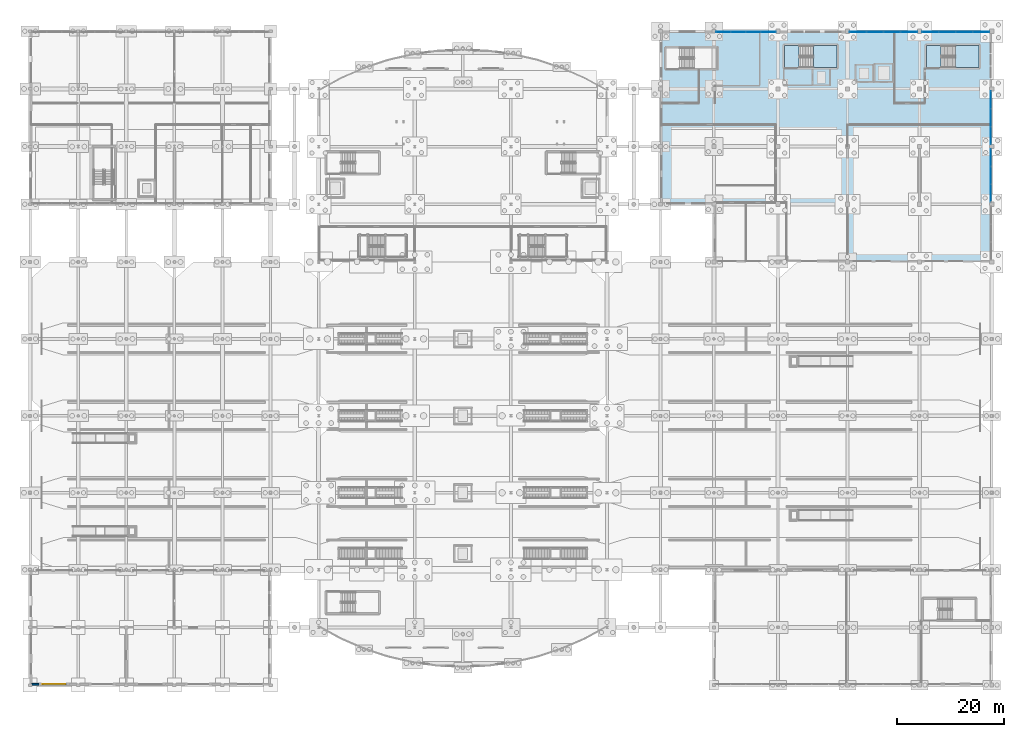
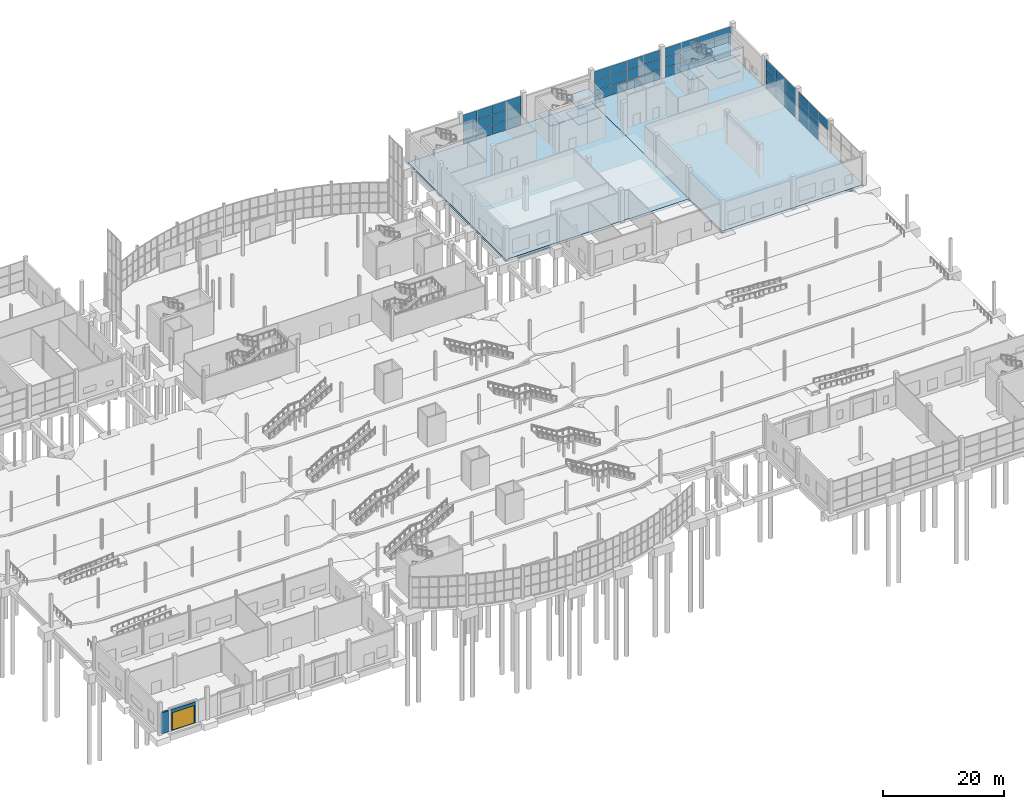
# One storey, part 84 of 115: 52 plates, 8 slabs, 2 walls, 1 door, 1 opening, 7 elements without a shape of their own.
"""IFC4 building model written with IfcOpenShell, lengths in metres."""

from ifc_helpers import new_model, si_unit, direction, frame, frame_2d, origin, origin_2d, place, context, subcontext, project, spatial, polyline, rectangle, outline, extrude, material, layer, layer_set, type_object, element, fill, aggregate, save


model = new_model("IFC4")

# Units and contexts
model_context = context("Model", 3, precision=1e-05, world=origin(), true_north=direction((0.0, 1.0)))
body_context = subcontext(model_context, "Body", "Model", "MODEL_VIEW")
ifc_project = project(units=[si_unit("LENGTHUNIT", "METRE"), si_unit("AREAUNIT", "SQUARE_METRE"), si_unit("VOLUMEUNIT", "CUBIC_METRE"), si_unit("PLANEANGLEUNIT", "RADIAN"), si_unit("MASSUNIT", "GRAM", prefix="KILO")], contexts=[model_context])

# Site, building, storey
site_placement = place(None, origin())
site = spatial("IfcSite", under=ifc_project, at=site_placement, CompositionType="ELEMENT")
building_placement = place(site_placement, origin())
building = spatial("IfcBuilding", under=site, at=building_placement, Name="Tamarisk Ironworks Central Station", CompositionType="ELEMENT")
storey_placement = place(building_placement, origin())
storey = spatial("IfcBuildingStorey", under=building, at=storey_placement, Name="L00", CompositionType="ELEMENT", Elevation=0.0)

# Curtain wall, plates
ifc_material_1 = material(Name="Anodized aluminium alloy 6063-T6", Category="aluminium")
ifc_layer_1 = layer(ifc_material_1, 0.179931640625)
ifc_layer_set_1 = layer_set([ifc_layer_1], Name="Anodized aluminium alloy 6063-T6")
curtain_wall_type = type_object("IfcCurtainWallType", Name="CW-15", PredefinedType="USERDEFINED", material=ifc_layer_set_1)
curtain_wall_1_placement = place(storey_placement, origin())
curtain_wall_1 = element("IfcCurtainWall", 1, at=curtain_wall_1_placement, inside=storey, type_object=curtain_wall_type, Name="Operations L00 north facade curtain wall 128", ObjectType="GLAZED CURTAIN WALL", PredefinedType="USERDEFINED")
ifc_material_2 = material(Name="Laminated solar-control low-E glass", Category="glass")
ifc_layer_2 = layer(ifc_material_2, 0.028076171875)
ifc_layer_set_2 = layer_set([ifc_layer_2], Name="Laminated solar-control low-E glass")
plate_type = type_object("IfcPlateType", Name="PL-CWP28", PredefinedType="CURTAIN_PANEL", material=ifc_layer_set_2)
plate_1_placement = place(storey_placement, frame((129.7734375, 122.25, 0.069091796875), z_axis=(0.0, 0.0, 1.0), x_axis=(1.0, 0.0, 0.0)))
plate_1 = element("IfcPlate", 2, at=plate_1_placement, type_object=plate_type, Name="CW15 panel 1.1", PredefinedType="CURTAIN_PANEL", context=body_context, shape_type="SweptSolid", body=[
    extrude(rectangle(XDim=2.712890625, YDim=0.028076171875, at=origin_2d()), origin(), (0.0, 0.0, 1.0), 1.90625),
])
plate_2_placement = place(storey_placement, frame((129.7734375, 122.25, 2.0380859375), z_axis=(0.0, 0.0, 1.0), x_axis=(1.0, 0.0, 0.0)))
plate_2 = element("IfcPlate", 3, at=plate_2_placement, type_object=plate_type, Name="CW15 panel 1.2", PredefinedType="CURTAIN_PANEL", context=body_context, shape_type="SweptSolid", body=[
    extrude(rectangle(XDim=2.712890625, YDim=0.028076171875, at=origin_2d()), origin(), (0.0, 0.0, 1.0), 1.943603515625),
])
plate_3_placement = place(storey_placement, frame((129.7734375, 122.25, 4.044677734375), z_axis=(0.0, 0.0, 1.0), x_axis=(1.0, 0.0, 0.0)))
plate_3 = element("IfcPlate", 4, at=plate_3_placement, type_object=plate_type, Name="CW15 panel 1.3", PredefinedType="CURTAIN_PANEL", context=body_context, shape_type="SweptSolid", body=[
    extrude(rectangle(XDim=2.712890625, YDim=0.028076171875, at=origin_2d()), origin(), (0.0, 0.0, 1.0), 1.90625),
])
plate_4_placement = place(storey_placement, frame((132.568359375, 122.25, 0.069091796875), z_axis=(0.0, 0.0, 1.0), x_axis=(1.0, 0.0, 0.0)))
plate_4 = element("IfcPlate", 5, at=plate_4_placement, type_object=plate_type, Name="CW15 panel 2.1", PredefinedType="CURTAIN_PANEL", context=body_context, shape_type="SweptSolid", body=[
    extrude(rectangle(XDim=2.75048828125, YDim=0.028076171875, at=origin_2d()), origin(), (0.0, 0.0, 1.0), 1.90625),
])
plate_5_placement = place(storey_placement, frame((132.568359375, 122.25, 2.0380859375), z_axis=(0.0, 0.0, 1.0), x_axis=(1.0, 0.0, 0.0)))
plate_5 = element("IfcPlate", 6, at=plate_5_placement, type_object=plate_type, Name="CW15 panel 2.2", PredefinedType="CURTAIN_PANEL", context=body_context, shape_type="SweptSolid", body=[
    extrude(rectangle(XDim=2.75048828125, YDim=0.028076171875, at=origin_2d()), origin(), (0.0, 0.0, 1.0), 1.943603515625),
])
plate_6_placement = place(storey_placement, frame((132.568359375, 122.25, 4.044677734375), z_axis=(0.0, 0.0, 1.0), x_axis=(1.0, 0.0, 0.0)))
plate_6 = element("IfcPlate", 7, at=plate_6_placement, type_object=plate_type, Name="CW15 panel 2.3", PredefinedType="CURTAIN_PANEL", context=body_context, shape_type="SweptSolid", body=[
    extrude(rectangle(XDim=2.75048828125, YDim=0.028076171875, at=origin_2d()), origin(), (0.0, 0.0, 1.0), 1.90625),
])
plate_7_placement = place(storey_placement, frame((135.3818359375, 122.25, 0.069091796875), z_axis=(0.0, 0.0, 1.0), x_axis=(1.0, 0.0, 0.0)))
plate_7 = element("IfcPlate", 8, at=plate_7_placement, type_object=plate_type, Name="CW15 panel 3.1", PredefinedType="CURTAIN_PANEL", context=body_context, shape_type="SweptSolid", body=[
    extrude(rectangle(XDim=2.75048828125, YDim=0.028076171875, at=origin_2d()), origin(), (0.0, 0.0, 1.0), 1.90625),
])
plate_8_placement = place(storey_placement, frame((135.3818359375, 122.25, 2.0380859375), z_axis=(0.0, 0.0, 1.0), x_axis=(1.0, 0.0, 0.0)))
plate_8 = element("IfcPlate", 9, at=plate_8_placement, type_object=plate_type, Name="CW15 panel 3.2", PredefinedType="CURTAIN_PANEL", context=body_context, shape_type="SweptSolid", body=[
    extrude(rectangle(XDim=2.75048828125, YDim=0.028076171875, at=origin_2d()), origin(), (0.0, 0.0, 1.0), 1.943603515625),
])
plate_9_placement = place(storey_placement, frame((135.3818359375, 122.25, 4.044677734375), z_axis=(0.0, 0.0, 1.0), x_axis=(1.0, 0.0, 0.0)))
plate_9 = element("IfcPlate", 10, at=plate_9_placement, type_object=plate_type, Name="CW15 panel 3.3", PredefinedType="CURTAIN_PANEL", context=body_context, shape_type="SweptSolid", body=[
    extrude(rectangle(XDim=2.75048828125, YDim=0.028076171875, at=origin_2d()), origin(), (0.0, 0.0, 1.0), 1.90625),
])
plate_10_placement = place(storey_placement, frame((138.176513671875, 122.25, 0.069091796875), z_axis=(0.0, 0.0, 1.0), x_axis=(1.0, 0.0, 0.0)))
plate_10 = element("IfcPlate", 11, at=plate_10_placement, type_object=plate_type, Name="CW15 panel 4.1", PredefinedType="CURTAIN_PANEL", context=body_context, shape_type="SweptSolid", body=[
    extrude(rectangle(XDim=2.712890625, YDim=0.028076171875, at=origin_2d()), origin(), (0.0, 0.0, 1.0), 1.90625),
])
plate_11_placement = place(storey_placement, frame((138.176513671875, 122.25, 2.0380859375), z_axis=(0.0, 0.0, 1.0), x_axis=(1.0, 0.0, 0.0)))
plate_11 = element("IfcPlate", 12, at=plate_11_placement, type_object=plate_type, Name="CW15 panel 4.2", PredefinedType="CURTAIN_PANEL", context=body_context, shape_type="SweptSolid", body=[
    extrude(rectangle(XDim=2.712890625, YDim=0.028076171875, at=origin_2d()), origin(), (0.0, 0.0, 1.0), 1.943603515625),
])
plate_12_placement = place(storey_placement, frame((138.176513671875, 122.25, 4.044677734375), z_axis=(0.0, 0.0, 1.0), x_axis=(1.0, 0.0, 0.0)))
plate_12 = element("IfcPlate", 13, at=plate_12_placement, type_object=plate_type, Name="CW15 panel 4.3", PredefinedType="CURTAIN_PANEL", context=body_context, shape_type="SweptSolid", body=[
    extrude(rectangle(XDim=2.712890625, YDim=0.028076171875, at=origin_2d()), origin(), (0.0, 0.0, 1.0), 1.90625),
])
aggregate(curtain_wall_1, [plate_1, plate_2, plate_3, plate_4, plate_5, plate_6, plate_7, plate_8, plate_9, plate_10, plate_11, plate_12])

curtain_wall_2_placement = place(storey_placement, origin())
curtain_wall_2 = element("IfcCurtainWall", 14, at=curtain_wall_2_placement, inside=storey, type_object=curtain_wall_type, Name="Operations L00 north facade curtain wall 153", ObjectType="GLAZED CURTAIN WALL", PredefinedType="USERDEFINED")
plate_13_placement = place(storey_placement, frame((155.004638671875, 122.25, 0.069091796875), z_axis=(0.0, 0.0, 1.0), x_axis=(1.0, 0.0, 0.0)))
plate_13 = element("IfcPlate", 15, at=plate_13_placement, type_object=plate_type, Name="CW15 panel 1.1", PredefinedType="CURTAIN_PANEL", context=body_context, shape_type="SweptSolid", body=[
    extrude(rectangle(XDim=3.075439453125, YDim=0.028076171875, at=origin_2d()), origin(), (0.0, 0.0, 1.0), 1.90625),
])
plate_14_placement = place(storey_placement, frame((155.004638671875, 122.25, 2.0380859375), z_axis=(0.0, 0.0, 1.0), x_axis=(1.0, 0.0, 0.0)))
plate_14 = element("IfcPlate", 16, at=plate_14_placement, type_object=plate_type, Name="CW15 panel 1.2", PredefinedType="CURTAIN_PANEL", context=body_context, shape_type="SweptSolid", body=[
    extrude(rectangle(XDim=3.075439453125, YDim=0.028076171875, at=origin_2d()), origin(), (0.0, 0.0, 1.0), 1.943603515625),
])
plate_15_placement = place(storey_placement, frame((155.004638671875, 122.25, 4.044677734375), z_axis=(0.0, 0.0, 1.0), x_axis=(1.0, 0.0, 0.0)))
plate_15 = element("IfcPlate", 17, at=plate_15_placement, type_object=plate_type, Name="CW15 panel 1.3", PredefinedType="CURTAIN_PANEL", context=body_context, shape_type="SweptSolid", body=[
    extrude(rectangle(XDim=3.075439453125, YDim=0.028076171875, at=origin_2d()), origin(), (0.0, 0.0, 1.0), 1.90625),
])
plate_16_placement = place(storey_placement, frame((158.162109375, 122.25, 0.069091796875), z_axis=(0.0, 0.0, 1.0), x_axis=(1.0, 0.0, 0.0)))
plate_16 = element("IfcPlate", 18, at=plate_16_placement, type_object=plate_type, Name="CW15 panel 2.1", PredefinedType="CURTAIN_PANEL", context=body_context, shape_type="SweptSolid", body=[
    extrude(rectangle(XDim=3.113037109375, YDim=0.028076171875, at=origin_2d()), origin(), (0.0, 0.0, 1.0), 1.90625),
])
plate_17_placement = place(storey_placement, frame((158.162109375, 122.25, 2.0380859375), z_axis=(0.0, 0.0, 1.0), x_axis=(1.0, 0.0, 0.0)))
plate_17 = element("IfcPlate", 19, at=plate_17_placement, type_object=plate_type, Name="CW15 panel 2.2", PredefinedType="CURTAIN_PANEL", context=body_context, shape_type="SweptSolid", body=[
    extrude(rectangle(XDim=3.113037109375, YDim=0.028076171875, at=origin_2d()), origin(), (0.0, 0.0, 1.0), 1.943603515625),
])
plate_18_placement = place(storey_placement, frame((158.162109375, 122.25, 4.044677734375), z_axis=(0.0, 0.0, 1.0), x_axis=(1.0, 0.0, 0.0)))
plate_18 = element("IfcPlate", 20, at=plate_18_placement, type_object=plate_type, Name="CW15 panel 2.3", PredefinedType="CURTAIN_PANEL", context=body_context, shape_type="SweptSolid", body=[
    extrude(rectangle(XDim=3.113037109375, YDim=0.028076171875, at=origin_2d()), origin(), (0.0, 0.0, 1.0), 1.90625),
])
plate_19_placement = place(storey_placement, frame((161.337890625, 122.25, 0.069091796875), z_axis=(0.0, 0.0, 1.0), x_axis=(1.0, 0.0, 0.0)))
plate_19 = element("IfcPlate", 21, at=plate_19_placement, type_object=plate_type, Name="CW15 panel 3.1", PredefinedType="CURTAIN_PANEL", context=body_context, shape_type="SweptSolid", body=[
    extrude(rectangle(XDim=3.113037109375, YDim=0.028076171875, at=origin_2d()), origin(), (0.0, 0.0, 1.0), 1.90625),
])
plate_20_placement = place(storey_placement, frame((161.337890625, 122.25, 2.0380859375), z_axis=(0.0, 0.0, 1.0), x_axis=(1.0, 0.0, 0.0)))
plate_20 = element("IfcPlate", 22, at=plate_20_placement, type_object=plate_type, Name="CW15 panel 3.2", PredefinedType="CURTAIN_PANEL", context=body_context, shape_type="SweptSolid", body=[
    extrude(rectangle(XDim=3.113037109375, YDim=0.028076171875, at=origin_2d()), origin(), (0.0, 0.0, 1.0), 1.943603515625),
])
plate_21_placement = place(storey_placement, frame((161.337890625, 122.25, 4.044677734375), z_axis=(0.0, 0.0, 1.0), x_axis=(1.0, 0.0, 0.0)))
plate_21 = element("IfcPlate", 23, at=plate_21_placement, type_object=plate_type, Name="CW15 panel 3.3", PredefinedType="CURTAIN_PANEL", context=body_context, shape_type="SweptSolid", body=[
    extrude(rectangle(XDim=3.113037109375, YDim=0.028076171875, at=origin_2d()), origin(), (0.0, 0.0, 1.0), 1.90625),
])
plate_22_placement = place(storey_placement, frame((164.495361328125, 122.25, 0.069091796875), z_axis=(0.0, 0.0, 1.0), x_axis=(1.0, 0.0, 0.0)))
plate_22 = element("IfcPlate", 24, at=plate_22_placement, type_object=plate_type, Name="CW15 panel 4.1", PredefinedType="CURTAIN_PANEL", context=body_context, shape_type="SweptSolid", body=[
    extrude(rectangle(XDim=3.075439453125, YDim=0.028076171875, at=origin_2d()), origin(), (0.0, 0.0, 1.0), 1.90625),
])
plate_23_placement = place(storey_placement, frame((164.495361328125, 122.25, 2.0380859375), z_axis=(0.0, 0.0, 1.0), x_axis=(1.0, 0.0, 0.0)))
plate_23 = element("IfcPlate", 25, at=plate_23_placement, type_object=plate_type, Name="CW15 panel 4.2", PredefinedType="CURTAIN_PANEL", context=body_context, shape_type="SweptSolid", body=[
    extrude(rectangle(XDim=3.075439453125, YDim=0.028076171875, at=origin_2d()), origin(), (0.0, 0.0, 1.0), 1.943603515625),
])
plate_24_placement = place(storey_placement, frame((164.495361328125, 122.25, 4.044677734375), z_axis=(0.0, 0.0, 1.0), x_axis=(1.0, 0.0, 0.0)))
plate_24 = element("IfcPlate", 26, at=plate_24_placement, type_object=plate_type, Name="CW15 panel 4.3", PredefinedType="CURTAIN_PANEL", context=body_context, shape_type="SweptSolid", body=[
    extrude(rectangle(XDim=3.075439453125, YDim=0.028076171875, at=origin_2d()), origin(), (0.0, 0.0, 1.0), 1.90625),
])
aggregate(curtain_wall_2, [plate_13, plate_14, plate_15, plate_16, plate_17, plate_18, plate_19, plate_20, plate_21, plate_22, plate_23, plate_24])

curtain_wall_3_placement = place(storey_placement, origin())
curtain_wall_3 = element("IfcCurtainWall", 27, at=curtain_wall_3_placement, inside=storey, type_object=curtain_wall_type, Name="Operations L00 north facade curtain wall 166", ObjectType="GLAZED CURTAIN WALL", PredefinedType="USERDEFINED")
plate_25_placement = place(storey_placement, frame((168.504638671875, 122.25, 0.069091796875), z_axis=(0.0, 0.0, 1.0), x_axis=(1.0, 0.0, 0.0)))
plate_25 = element("IfcPlate", 28, at=plate_25_placement, type_object=plate_type, Name="CW15 panel 1.1", PredefinedType="CURTAIN_PANEL", context=body_context, shape_type="SweptSolid", body=[
    extrude(rectangle(XDim=3.075439453125, YDim=0.028076171875, at=origin_2d()), origin(), (0.0, 0.0, 1.0), 1.90625),
])
plate_26_placement = place(storey_placement, frame((168.504638671875, 122.25, 2.0380859375), z_axis=(0.0, 0.0, 1.0), x_axis=(1.0, 0.0, 0.0)))
plate_26 = element("IfcPlate", 29, at=plate_26_placement, type_object=plate_type, Name="CW15 panel 1.2", PredefinedType="CURTAIN_PANEL", context=body_context, shape_type="SweptSolid", body=[
    extrude(rectangle(XDim=3.075439453125, YDim=0.028076171875, at=origin_2d()), origin(), (0.0, 0.0, 1.0), 1.943603515625),
])
plate_27_placement = place(storey_placement, frame((168.504638671875, 122.25, 4.044677734375), z_axis=(0.0, 0.0, 1.0), x_axis=(1.0, 0.0, 0.0)))
plate_27 = element("IfcPlate", 30, at=plate_27_placement, type_object=plate_type, Name="CW15 panel 1.3", PredefinedType="CURTAIN_PANEL", context=body_context, shape_type="SweptSolid", body=[
    extrude(rectangle(XDim=3.075439453125, YDim=0.028076171875, at=origin_2d()), origin(), (0.0, 0.0, 1.0), 1.90625),
])
plate_28_placement = place(storey_placement, frame((171.662109375, 122.25, 0.069091796875), z_axis=(0.0, 0.0, 1.0), x_axis=(1.0, 0.0, 0.0)))
plate_28 = element("IfcPlate", 31, at=plate_28_placement, type_object=plate_type, Name="CW15 panel 2.1", PredefinedType="CURTAIN_PANEL", context=body_context, shape_type="SweptSolid", body=[
    extrude(rectangle(XDim=3.113037109375, YDim=0.028076171875, at=origin_2d()), origin(), (0.0, 0.0, 1.0), 1.90625),
])
plate_29_placement = place(storey_placement, frame((171.662109375, 122.25, 2.0380859375), z_axis=(0.0, 0.0, 1.0), x_axis=(1.0, 0.0, 0.0)))
plate_29 = element("IfcPlate", 32, at=plate_29_placement, type_object=plate_type, Name="CW15 panel 2.2", PredefinedType="CURTAIN_PANEL", context=body_context, shape_type="SweptSolid", body=[
    extrude(rectangle(XDim=3.113037109375, YDim=0.028076171875, at=origin_2d()), origin(), (0.0, 0.0, 1.0), 1.943603515625),
])
plate_30_placement = place(storey_placement, frame((171.662109375, 122.25, 4.044677734375), z_axis=(0.0, 0.0, 1.0), x_axis=(1.0, 0.0, 0.0)))
plate_30 = element("IfcPlate", 33, at=plate_30_placement, type_object=plate_type, Name="CW15 panel 2.3", PredefinedType="CURTAIN_PANEL", context=body_context, shape_type="SweptSolid", body=[
    extrude(rectangle(XDim=3.113037109375, YDim=0.028076171875, at=origin_2d()), origin(), (0.0, 0.0, 1.0), 1.90625),
])
plate_31_placement = place(storey_placement, frame((174.837890625, 122.25, 0.069091796875), z_axis=(0.0, 0.0, 1.0), x_axis=(1.0, 0.0, 0.0)))
plate_31 = element("IfcPlate", 34, at=plate_31_placement, type_object=plate_type, Name="CW15 panel 3.1", PredefinedType="CURTAIN_PANEL", context=body_context, shape_type="SweptSolid", body=[
    extrude(rectangle(XDim=3.113037109375, YDim=0.028076171875, at=origin_2d()), origin(), (0.0, 0.0, 1.0), 1.90625),
])
plate_32_placement = place(storey_placement, frame((174.837890625, 122.25, 2.0380859375), z_axis=(0.0, 0.0, 1.0), x_axis=(1.0, 0.0, 0.0)))
plate_32 = element("IfcPlate", 35, at=plate_32_placement, type_object=plate_type, Name="CW15 panel 3.2", PredefinedType="CURTAIN_PANEL", context=body_context, shape_type="SweptSolid", body=[
    extrude(rectangle(XDim=3.113037109375, YDim=0.028076171875, at=origin_2d()), origin(), (0.0, 0.0, 1.0), 1.943603515625),
])
plate_33_placement = place(storey_placement, frame((174.837890625, 122.25, 4.044677734375), z_axis=(0.0, 0.0, 1.0), x_axis=(1.0, 0.0, 0.0)))
plate_33 = element("IfcPlate", 36, at=plate_33_placement, type_object=plate_type, Name="CW15 panel 3.3", PredefinedType="CURTAIN_PANEL", context=body_context, shape_type="SweptSolid", body=[
    extrude(rectangle(XDim=3.113037109375, YDim=0.028076171875, at=origin_2d()), origin(), (0.0, 0.0, 1.0), 1.90625),
])
plate_34_placement = place(storey_placement, frame((177.995361328125, 122.25, 0.069091796875), z_axis=(0.0, 0.0, 1.0), x_axis=(1.0, 0.0, 0.0)))
plate_34 = element("IfcPlate", 37, at=plate_34_placement, type_object=plate_type, Name="CW15 panel 4.1", PredefinedType="CURTAIN_PANEL", context=body_context, shape_type="SweptSolid", body=[
    extrude(rectangle(XDim=3.075439453125, YDim=0.028076171875, at=origin_2d()), origin(), (0.0, 0.0, 1.0), 1.90625),
])
plate_35_placement = place(storey_placement, frame((177.995361328125, 122.25, 2.0380859375), z_axis=(0.0, 0.0, 1.0), x_axis=(1.0, 0.0, 0.0)))
plate_35 = element("IfcPlate", 38, at=plate_35_placement, type_object=plate_type, Name="CW15 panel 4.2", PredefinedType="CURTAIN_PANEL", context=body_context, shape_type="SweptSolid", body=[
    extrude(rectangle(XDim=3.075439453125, YDim=0.028076171875, at=origin_2d()), origin(), (0.0, 0.0, 1.0), 1.943603515625),
])
plate_36_placement = place(storey_placement, frame((177.995361328125, 122.25, 4.044677734375), z_axis=(0.0, 0.0, 1.0), x_axis=(1.0, 0.0, 0.0)))
plate_36 = element("IfcPlate", 39, at=plate_36_placement, type_object=plate_type, Name="CW15 panel 4.3", PredefinedType="CURTAIN_PANEL", context=body_context, shape_type="SweptSolid", body=[
    extrude(rectangle(XDim=3.075439453125, YDim=0.028076171875, at=origin_2d()), origin(), (0.0, 0.0, 1.0), 1.90625),
])
aggregate(curtain_wall_3, [plate_25, plate_26, plate_27, plate_28, plate_29, plate_30, plate_31, plate_32, plate_33, plate_34, plate_35, plate_36])

curtain_wall_4_placement = place(storey_placement, origin())
curtain_wall_4 = element("IfcCurtainWall", 40, at=curtain_wall_4_placement, inside=storey, type_object=curtain_wall_type, Name="Operations L00 east facade curtain wall 090", ObjectType="GLAZED CURTAIN WALL", PredefinedType="USERDEFINED")
plate_37_placement = place(storey_placement, frame((179.85009765625, 92.083984375, 4.044677734375), z_axis=(0.0, 0.0, 1.0), x_axis=(0.0, 1.0, 0.0)))
plate_37 = element("IfcPlate", 41, at=plate_37_placement, type_object=plate_type, Name="CW15 panel 1.3", PredefinedType="CURTAIN_PANEL", context=body_context, shape_type="SweptSolid", body=[
    extrude(rectangle(XDim=3.234130859375, YDim=0.028076171875, at=origin_2d()), origin(), (0.0, 0.0, 1.0), 1.90625),
])
plate_38_placement = place(storey_placement, frame((179.85009765625, 95.39990234375, 0.069091796875), z_axis=(0.0, 0.0, 1.0), x_axis=(0.0, 1.0, 0.0)))
plate_38 = element("IfcPlate", 42, at=plate_38_placement, type_object=plate_type, Name="CW15 panel 2.1", PredefinedType="CURTAIN_PANEL", context=body_context, shape_type="SweptSolid", body=[
    extrude(rectangle(XDim=3.271728515625, YDim=0.028076171875, at=origin_2d()), origin(), (0.0, 0.0, 1.0), 1.90625),
])
plate_39_placement = place(storey_placement, frame((179.85009765625, 95.39990234375, 2.0380859375), z_axis=(0.0, 0.0, 1.0), x_axis=(0.0, 1.0, 0.0)))
plate_39 = element("IfcPlate", 43, at=plate_39_placement, type_object=plate_type, Name="CW15 panel 2.2", PredefinedType="CURTAIN_PANEL", context=body_context, shape_type="SweptSolid", body=[
    extrude(rectangle(XDim=3.271728515625, YDim=0.028076171875, at=origin_2d()), origin(), (0.0, 0.0, 1.0), 1.943603515625),
])
plate_40_placement = place(storey_placement, frame((179.85009765625, 95.39990234375, 4.044677734375), z_axis=(0.0, 0.0, 1.0), x_axis=(0.0, 1.0, 0.0)))
plate_40 = element("IfcPlate", 44, at=plate_40_placement, type_object=plate_type, Name="CW15 panel 2.3", PredefinedType="CURTAIN_PANEL", context=body_context, shape_type="SweptSolid", body=[
    extrude(rectangle(XDim=3.271728515625, YDim=0.028076171875, at=origin_2d()), origin(), (0.0, 0.0, 1.0), 1.90625),
])
plate_41_placement = place(storey_placement, frame((179.85009765625, 98.7158203125, 0.069091796875), z_axis=(0.0, 0.0, 1.0), x_axis=(0.0, 1.0, 0.0)))
plate_41 = element("IfcPlate", 45, at=plate_41_placement, type_object=plate_type, Name="CW15 panel 3.1", PredefinedType="CURTAIN_PANEL", context=body_context, shape_type="SweptSolid", body=[
    extrude(rectangle(XDim=3.234130859375, YDim=0.028076171875, at=origin_2d()), origin(), (0.0, 0.0, 1.0), 1.90625),
])
plate_42_placement = place(storey_placement, frame((179.85009765625, 98.7158203125, 2.0380859375), z_axis=(0.0, 0.0, 1.0), x_axis=(0.0, 1.0, 0.0)))
plate_42 = element("IfcPlate", 46, at=plate_42_placement, type_object=plate_type, Name="CW15 panel 3.2", PredefinedType="CURTAIN_PANEL", context=body_context, shape_type="SweptSolid", body=[
    extrude(rectangle(XDim=3.234130859375, YDim=0.028076171875, at=origin_2d()), origin(), (0.0, 0.0, 1.0), 1.943603515625),
])
plate_43_placement = place(storey_placement, frame((179.85009765625, 98.7158203125, 4.044677734375), z_axis=(0.0, 0.0, 1.0), x_axis=(0.0, 1.0, 0.0)))
plate_43 = element("IfcPlate", 47, at=plate_43_placement, type_object=plate_type, Name="CW15 panel 3.3", PredefinedType="CURTAIN_PANEL", context=body_context, shape_type="SweptSolid", body=[
    extrude(rectangle(XDim=3.234130859375, YDim=0.028076171875, at=origin_2d()), origin(), (0.0, 0.0, 1.0), 1.90625),
])
aggregate(curtain_wall_4, [plate_37, plate_38, plate_39, plate_40, plate_41, plate_42, plate_43])

curtain_wall_5_placement = place(storey_placement, origin())
curtain_wall_5 = element("IfcCurtainWall", 48, at=curtain_wall_5_placement, inside=storey, type_object=curtain_wall_type, Name="Operations L00 east facade curtain wall 100", ObjectType="GLAZED CURTAIN WALL", PredefinedType="USERDEFINED")
plate_44_placement = place(storey_placement, frame((179.85009765625, 102.884033203125, 0.069091796875), z_axis=(0.0, 0.0, 1.0), x_axis=(0.0, 1.0, 0.0)))
plate_44 = element("IfcPlate", 49, at=plate_44_placement, type_object=plate_type, Name="CW15 panel 1.1", PredefinedType="CURTAIN_PANEL", context=body_context, shape_type="SweptSolid", body=[
    extrude(rectangle(XDim=3.234130859375, YDim=0.028076171875, at=origin_2d()), origin(), (0.0, 0.0, 1.0), 1.90625),
])
plate_45_placement = place(storey_placement, frame((179.85009765625, 102.884033203125, 2.0380859375), z_axis=(0.0, 0.0, 1.0), x_axis=(0.0, 1.0, 0.0)))
plate_45 = element("IfcPlate", 50, at=plate_45_placement, type_object=plate_type, Name="CW15 panel 1.2", PredefinedType="CURTAIN_PANEL", context=body_context, shape_type="SweptSolid", body=[
    extrude(rectangle(XDim=3.234130859375, YDim=0.028076171875, at=origin_2d()), origin(), (0.0, 0.0, 1.0), 1.943603515625),
])
plate_46_placement = place(storey_placement, frame((179.85009765625, 102.884033203125, 4.044677734375), z_axis=(0.0, 0.0, 1.0), x_axis=(0.0, 1.0, 0.0)))
plate_46 = element("IfcPlate", 51, at=plate_46_placement, type_object=plate_type, Name="CW15 panel 1.3", PredefinedType="CURTAIN_PANEL", context=body_context, shape_type="SweptSolid", body=[
    extrude(rectangle(XDim=3.234130859375, YDim=0.028076171875, at=origin_2d()), origin(), (0.0, 0.0, 1.0), 1.90625),
])
plate_47_placement = place(storey_placement, frame((179.85009765625, 106.199951171875, 0.069091796875), z_axis=(0.0, 0.0, 1.0), x_axis=(0.0, 1.0, 0.0)))
plate_47 = element("IfcPlate", 52, at=plate_47_placement, type_object=plate_type, Name="CW15 panel 2.1", PredefinedType="CURTAIN_PANEL", context=body_context, shape_type="SweptSolid", body=[
    extrude(rectangle(XDim=3.271728515625, YDim=0.028076171875, at=origin_2d()), origin(), (0.0, 0.0, 1.0), 1.90625),
])
plate_48_placement = place(storey_placement, frame((179.85009765625, 106.199951171875, 2.0380859375), z_axis=(0.0, 0.0, 1.0), x_axis=(0.0, 1.0, 0.0)))
plate_48 = element("IfcPlate", 53, at=plate_48_placement, type_object=plate_type, Name="CW15 panel 2.2", PredefinedType="CURTAIN_PANEL", context=body_context, shape_type="SweptSolid", body=[
    extrude(rectangle(XDim=3.271728515625, YDim=0.028076171875, at=origin_2d()), origin(), (0.0, 0.0, 1.0), 1.943603515625),
])
plate_49_placement = place(storey_placement, frame((179.85009765625, 106.199951171875, 4.044677734375), z_axis=(0.0, 0.0, 1.0), x_axis=(0.0, 1.0, 0.0)))
plate_49 = element("IfcPlate", 54, at=plate_49_placement, type_object=plate_type, Name="CW15 panel 2.3", PredefinedType="CURTAIN_PANEL", context=body_context, shape_type="SweptSolid", body=[
    extrude(rectangle(XDim=3.271728515625, YDim=0.028076171875, at=origin_2d()), origin(), (0.0, 0.0, 1.0), 1.90625),
])
plate_50_placement = place(storey_placement, frame((179.85009765625, 109.515869140625, 0.069091796875), z_axis=(0.0, 0.0, 1.0), x_axis=(0.0, 1.0, 0.0)))
plate_50 = element("IfcPlate", 55, at=plate_50_placement, type_object=plate_type, Name="CW15 panel 3.1", PredefinedType="CURTAIN_PANEL", context=body_context, shape_type="SweptSolid", body=[
    extrude(rectangle(XDim=3.234130859375, YDim=0.028076171875, at=origin_2d()), origin(), (0.0, 0.0, 1.0), 1.90625),
])
plate_51_placement = place(storey_placement, frame((179.85009765625, 109.515869140625, 2.0380859375), z_axis=(0.0, 0.0, 1.0), x_axis=(0.0, 1.0, 0.0)))
plate_51 = element("IfcPlate", 56, at=plate_51_placement, type_object=plate_type, Name="CW15 panel 3.2", PredefinedType="CURTAIN_PANEL", context=body_context, shape_type="SweptSolid", body=[
    extrude(rectangle(XDim=3.234130859375, YDim=0.028076171875, at=origin_2d()), origin(), (0.0, 0.0, 1.0), 1.943603515625),
])
plate_52_placement = place(storey_placement, frame((179.85009765625, 109.515869140625, 4.044677734375), z_axis=(0.0, 0.0, 1.0), x_axis=(0.0, 1.0, 0.0)))
plate_52 = element("IfcPlate", 57, at=plate_52_placement, type_object=plate_type, Name="CW15 panel 3.3", PredefinedType="CURTAIN_PANEL", context=body_context, shape_type="SweptSolid", body=[
    extrude(rectangle(XDim=3.234130859375, YDim=0.028076171875, at=origin_2d()), origin(), (0.0, 0.0, 1.0), 1.90625),
])
aggregate(curtain_wall_5, [plate_44, plate_45, plate_46, plate_47, plate_48, plate_49, plate_50, plate_51, plate_52])

# Slabs
ifc_material_3 = material(Name="Concrete C40/50", Category="concrete")
ifc_layer_3 = layer(ifc_material_3, 0.5)
ifc_layer_set_3 = layer_set([ifc_layer_3], Name="Concrete C40/50")
slab_type_1 = type_object("IfcSlabType", Name="SL-BS500", PredefinedType="BASESLAB", material=ifc_layer_set_3)
slab_1_placement = place(storey_placement, frame((0.0, 0.0, -0.5)))
element("IfcSlab", 58, at=slab_1_placement, inside=storey, type_object=slab_type_1, Name="L00 Ground Floor Structural Slab V5-NW", PredefinedType="BASESLAB", context=body_context, shape_type="SweptSolid", body=[
    extrude(outline(polyline([(118.0, 90.0), (153.0, 90.0), (153.0, 122.39990234375), (118.0, 122.39990234375), (118.0, 90.0)])), origin(), (0.0, 0.0, 1.0), 0.5),
])
slab_2_placement = place(storey_placement, frame((0.0, 0.0, -0.5)))
element("IfcSlab", 59, at=slab_2_placement, inside=storey, type_object=slab_type_1, Name="L00 Ground Floor Structural Slab V5-NE", PredefinedType="BASESLAB", context=body_context, shape_type="SweptSolid", body=[
    extrude(outline(polyline([(153.0, 79.199951171875), (180.0, 79.199951171875), (180.0, 122.39990234375), (153.0, 122.39990234375), (153.0, 79.199951171875)])), origin(), (0.0, 0.0, 1.0), 0.5),
])

# Stair, slabs
ifc_material_4 = material(Name="Concrete C35/45", Category="concrete")
stair_type = type_object("IfcStairType", Name="ST-CORE-A", PredefinedType="HALF_TURN_STAIR", material=ifc_material_4)
stair_1_placement = place(storey_placement, origin())
stair_1 = element("IfcStair", 60, at=stair_1_placement, inside=storey, type_object=stair_type, Name="L00 Firefighting Exit Stair Core 1", PredefinedType="HALF_TURN_STAIR")
ifc_layer_4 = layer(ifc_material_4, 0.215087890625)
ifc_layer_set_4 = layer_set([ifc_layer_4], Name="Concrete C35/45")
slab_type_2 = type_object("IfcSlabType", Name="SL-LD220", PredefinedType="LANDING", material=ifc_layer_set_4)
slab_3_placement = place(storey_placement, frame((0.0, 0.0, 1.449951171875)))
slab_3 = element("IfcSlab", 61, at=slab_3_placement, type_object=slab_type_2, Name="ST-C1 landing 1", PredefinedType="LANDING", context=body_context, shape_type="SweptSolid", body=[
    extrude(outline(polyline([(146.64990234375, 115.60009765625), (151.0, 115.60009765625), (151.0, 119.699951171875), (146.64990234375, 119.699951171875), (146.64990234375, 115.60009765625)])), origin(), (0.0, 0.0, 1.0), 0.199951171875),
])
slab_4_placement = place(storey_placement, frame((0.0, 0.0, 3.10009765625)))
slab_4 = element("IfcSlab", 62, at=slab_4_placement, type_object=slab_type_2, Name="ST-C1 landing 2", PredefinedType="LANDING", context=body_context, shape_type="SweptSolid", body=[
    extrude(outline(polyline([(141.199951171875, 115.60009765625), (143.949951171875, 115.60009765625), (143.949951171875, 119.699951171875), (141.199951171875, 119.699951171875), (141.199951171875, 115.60009765625)])), origin(), (0.0, 0.0, 1.0), 0.199951171875),
])
slab_5_placement = place(storey_placement, frame((0.0, 0.0, 4.75)))
slab_5 = element("IfcSlab", 63, at=slab_5_placement, type_object=slab_type_2, Name="ST-C1 landing 3", PredefinedType="LANDING", context=body_context, shape_type="SweptSolid", body=[
    extrude(outline(polyline([(146.64990234375, 115.60009765625), (151.0, 115.60009765625), (151.0, 119.699951171875), (146.64990234375, 119.699951171875), (146.64990234375, 115.60009765625)])), origin(), (0.0, 0.0, 1.0), 0.199951171875),
])
aggregate(stair_1, [slab_3, slab_4, slab_5])

stair_2_placement = place(storey_placement, origin())
stair_2 = element("IfcStair", 64, at=stair_2_placement, inside=storey, type_object=stair_type, Name="L00 East Operations Exit Stair Core 2", PredefinedType="HALF_TURN_STAIR")
slab_6_placement = place(storey_placement, frame((0.0, 0.0, 1.449951171875)))
slab_6 = element("IfcSlab", 65, at=slab_6_placement, type_object=slab_type_2, Name="ST-C2 landing 1", PredefinedType="LANDING", context=body_context, shape_type="SweptSolid", body=[
    extrude(outline(polyline([(173.25, 115.60009765625), (177.60009765625, 115.60009765625), (177.60009765625, 119.699951171875), (173.25, 119.699951171875), (173.25, 115.60009765625)])), origin(), (0.0, 0.0, 1.0), 0.199951171875),
])
slab_7_placement = place(storey_placement, frame((0.0, 0.0, 3.10009765625)))
slab_7 = element("IfcSlab", 66, at=slab_7_placement, type_object=slab_type_2, Name="ST-C2 landing 2", PredefinedType="LANDING", context=body_context, shape_type="SweptSolid", body=[
    extrude(outline(polyline([(167.800048828125, 115.60009765625), (170.550048828125, 115.60009765625), (170.550048828125, 119.699951171875), (167.800048828125, 119.699951171875), (167.800048828125, 115.60009765625)])), origin(), (0.0, 0.0, 1.0), 0.199951171875),
])
slab_8_placement = place(storey_placement, frame((0.0, 0.0, 4.75)))
slab_8 = element("IfcSlab", 67, at=slab_8_placement, type_object=slab_type_2, Name="ST-C2 landing 3", PredefinedType="LANDING", context=body_context, shape_type="SweptSolid", body=[
    extrude(outline(polyline([(173.25, 115.60009765625), (177.60009765625, 115.60009765625), (177.60009765625, 119.699951171875), (173.25, 119.699951171875), (173.25, 115.60009765625)])), origin(), (0.0, 0.0, 1.0), 0.199951171875),
])
aggregate(stair_2, [slab_6, slab_7, slab_8])

# Wall
ifc_material_5 = material(Name="Clay facing brickwork and mortar", Category="masonry")
ifc_layer_5 = layer(ifc_material_5, 0.340087890625)
ifc_layer_set_5 = layer_set([ifc_layer_5], Name="Clay facing brickwork and mortar")
wall_type = type_object("IfcWallType", Name="WL-BR340", PredefinedType="STANDARD", material=ifc_layer_set_5)
wall_1_placement = place(storey_placement, frame((0.322998046875, 0.169921875, 0.0), z_axis=(0.0, 0.0, 1.0), x_axis=(1.0, 0.0, 0.0)))
element("IfcWall", 68, at=wall_1_placement, inside=storey, type_object=wall_type, Name="L00 brick facade wall 0001", PredefinedType="STANDARD", context=body_context, shape_type="SweptSolid", body=[
    extrude(rectangle(XDim=1.3291015625, YDim=0.340087890625, at=frame_2d((0.66455078125, 0.0))), origin(), (0.0, 0.0, 1.0), 4.280029296875),
])

# Wall, opening, door
wall_2_placement = place(storey_placement, frame((2.199951171875, 0.169921875, 0.0), z_axis=(0.0, 0.0, 1.0), x_axis=(1.0, 0.0, 0.0)))
wall_2 = element("IfcWall", 69, at=wall_2_placement, inside=storey, type_object=wall_type, Name="L00 brick facade wall 0003", PredefinedType="STANDARD", context=body_context, shape_type="SweptSolid", body=[
    extrude(rectangle(XDim=4.60009765625, YDim=0.340087890625, at=frame_2d((2.300048828125, 0.0))), origin(), (0.0, 0.0, 1.0), 4.260009765625),
])
opening_placement = place(wall_2_placement, frame((0.199951171875, 0.0, 0.0048828125)))
opening = element("IfcOpeningElement", 70, at=opening_placement, cuts=wall_2, Name="Opening SH01", PredefinedType="OPENING", context=body_context, shape_type="SweptSolid", body=[
    extrude(rectangle(XDim=4.199951171875, YDim=3.60009765625, at=frame_2d((2.10009765625, 1.800048828125))), frame((0.0, 0.18212890625, 0.0), z_axis=(0.0, -1.0, 0.0), x_axis=(1.0, 0.0, 0.0)), (0.0, 0.0, 1.0), 0.364013671875),
])
ifc_material_6 = material(Name="Galvanised roller-shutter steel", Category="steel")
door_type = type_object("IfcDoorType", Name="DR-SH01", OperationType="NOTDEFINED", PredefinedType="GATE", material=ifc_material_6)
door_placement = place(opening_placement, origin())
door = element("IfcDoor", 71, at=door_placement, inside=storey, type_object=door_type, Name="Service bay roller shutter 001", OperationType="ROLLINGUP", OverallHeight=3.60009765625, OverallWidth=4.199951171875, PredefinedType="GATE", context=body_context, shape_type="SweptSolid", body=[
    extrude(rectangle(XDim=4.199951171875, YDim=3.60009765625, at=frame_2d((2.10009765625, 1.800048828125))), frame((0.0, 0.02490234375, 0.0), z_axis=(0.0, -1.0, 0.0), x_axis=(1.0, 0.0, 0.0)), (0.0, 0.0, 1.0), 0.050048828125),
])
fill(opening, door)

save(model, "model.ifc")
